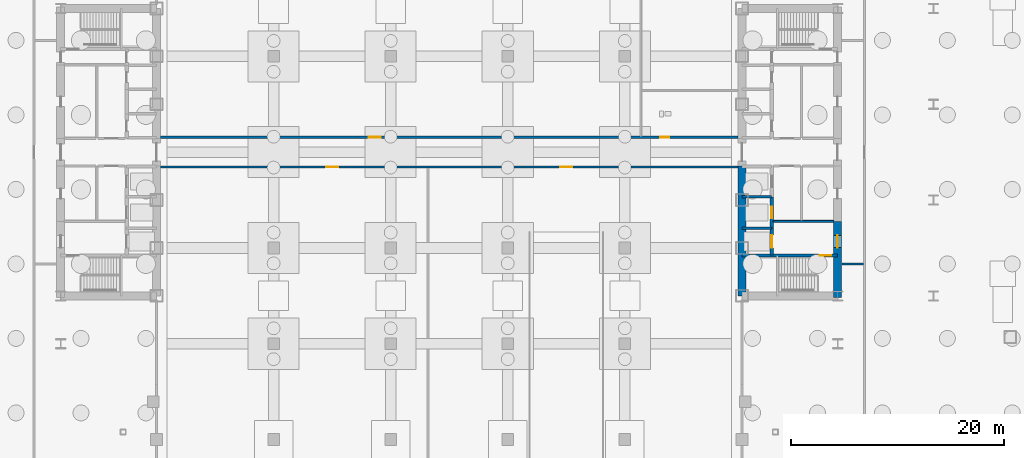
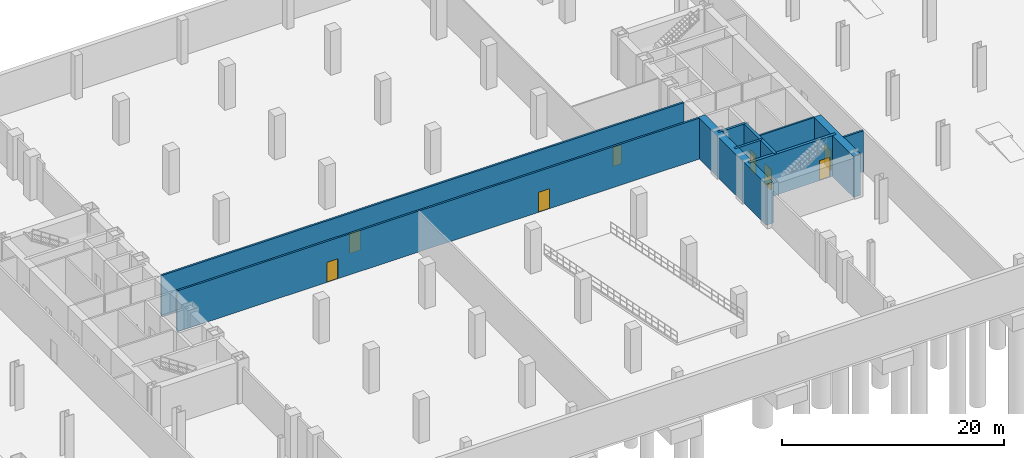
# One storey, part 13 of 18: 11 walls, 8 doors, 8 openings.
"""IFC4 building model written with IfcOpenShell, lengths in metres."""

from ifc_helpers import new_model, si_unit, direction, frame, frame_2d, origin, place, context, subcontext, project, spatial, rectangle, extrude, source, transform, mapped, material, layer, layer_set, type_object, type_shapes, element, fill, save


model = new_model("IFC4")

# Units and contexts
model_context = context("Model", 3, precision=1e-05, world=origin(), true_north=direction((0.0, 1.0)))
body_context = subcontext(model_context, "Body", "Model", "MODEL_VIEW")
ifc_project = project(units=[si_unit("LENGTHUNIT", "METRE"), si_unit("AREAUNIT", "SQUARE_METRE"), si_unit("VOLUMEUNIT", "CUBIC_METRE"), si_unit("PLANEANGLEUNIT", "RADIAN"), si_unit("MASSUNIT", "GRAM", prefix="KILO")], contexts=[model_context])

# Site, building, storey
site_placement = place(None, origin())
site = spatial("IfcSite", under=ifc_project, at=site_placement, CompositionType="ELEMENT")
building_placement = place(site_placement, origin())
building = spatial("IfcBuilding", under=site, at=building_placement, Name="Seokmaru Belvedere", CompositionType="ELEMENT")
storey_placement = place(building_placement, frame((0.0, 0.0, -9.60009765625)))
storey = spatial("IfcBuildingStorey", under=building, at=storey_placement, Name="B2", CompositionType="ELEMENT", Elevation=-9.60009765625)

# Walls
ifc_material_1 = material(Name="Fire-Rated Gypsum Shaftwall")
ifc_layer_1 = layer(ifc_material_1, 0.179931640625)
ifc_layer_set_1 = layer_set([ifc_layer_1], Name="Fire-Rated Gypsum Shaftwall")
wall_type_1 = type_object("IfcWallType", Name="Core Service Fire Partition 180", PredefinedType="PARTITIONING", material=ifc_layer_set_1)
wall_1_placement = place(storey_placement, frame((30.449951171875, -6.5, 0.0), z_axis=(0.0, 0.0, 1.0), x_axis=(1.0, 0.0, 0.0)))
element("IfcWall", 1, at=wall_1_placement, inside=storey, type_object=wall_type_1, Name="B2 East Firefighting Lobby Partition", PredefinedType="PARTITIONING", context=body_context, shape_type="SweptSolid", body=[
    extrude(rectangle(XDim=5.699951171875, YDim=0.179931640625, at=frame_2d((2.85009765625, 0.0))), origin(), (0.0, 0.0, 1.0), 4.5),
])
ifc_material_2 = material(Name="Concrete C50 (50 MPa)", Category="concrete")
ifc_layer_2 = layer(ifc_material_2, 0.25)
ifc_layer_set_2 = layer_set([ifc_layer_2], Name="Concrete C50 (50 MPa)")
wall_type_2 = type_object("IfcWallType", Name="Hoistway Transverse Concrete Divider Wall 250", PredefinedType="SHEAR", material=ifc_layer_set_2)
for number, where, z_axis, x_axis, name in (
    (2, (27.5, -7.14990234375, 0.0), (0.0, 0.0, 1.0), (1.0, 0.0, 0.0), "B2 East Hoistway Divider Core Wall 1"),
    (3, (27.5, -4.199951171875, 0.0), (0.0, 0.0, 1.0), (1.0, 0.0, 0.0), "B2 East Hoistway Divider Core Wall 2"),
):
    element("IfcWall", number, at=place(storey_placement, frame(where, z_axis=z_axis, x_axis=x_axis)), inside=storey, type_object=wall_type_2, Name=name, PredefinedType="SHEAR", context=body_context, shape_type="SweptSolid", body=[
        extrude(rectangle(XDim=2.800048828125, YDim=0.25, at=frame_2d((1.39990234375, 0.0))), origin(), (0.0, 0.0, 1.0), 4.5),
    ])
ifc_layer_3 = layer(ifc_material_1, 0.199951171875)
ifc_layer_set_3 = layer_set([ifc_layer_3], Name="Fire-Rated Gypsum Shaftwall")
wall_type_3 = type_object("IfcWallType", Name="Inter-Tenancy Fire Compartment Partition 200", PredefinedType="PARTITIONING", material=ifc_layer_set_3)
wall_2_placement = place(storey_placement, frame((36.8798828125, -10.5, 0.0), z_axis=(0.0, 0.0, 1.0), x_axis=(1.0, 0.0, 0.0)))
element("IfcWall", 4, at=wall_2_placement, inside=storey, type_object=wall_type_3, Name="B2 Interior Partition 002", PredefinedType="PARTITIONING", context=body_context, shape_type="SweptSolid", body=[
    extrude(rectangle(XDim=2.03515625, YDim=0.199951171875, at=frame_2d((1.017578125, 0.0))), origin(), (0.0, 0.0, 1.0), 4.5),
])

# Wall, openings, doors
wall_3_placement = place(storey_placement, frame((-27.1201171875, -1.39990234375, 0.0), z_axis=(0.0, 0.0, 1.0), x_axis=(1.0, 0.0, 0.0)))
wall_3 = element("IfcWall", 5, at=wall_3_placement, inside=storey, type_object=wall_type_3, Name="B2 Interior Partition 003", PredefinedType="PARTITIONING", context=body_context, shape_type="SweptSolid", body=[
    extrude(rectangle(XDim=54.240234375, YDim=0.199951171875, at=frame_2d((27.1201171875, 0.0))), origin(), (0.0, 0.0, 1.0), 4.5),
])
opening_1_placement = place(wall_3_placement, frame((15.544921875, 0.0, 0.0)))
opening_1 = element("IfcOpeningElement", 6, at=opening_1_placement, cuts=wall_3, Name="Opening D02", PredefinedType="OPENING", context=body_context, shape_type="SweptSolid", body=[
    extrude(rectangle(XDim=1.14990234375, YDim=2.199951171875, at=frame_2d((0.574951171875, 1.10009765625))), frame((0.0, 0.10986328125, 0.0), z_axis=(0.0, -1.0, 0.0), x_axis=(1.0, 0.0, 0.0)), (0.0, 0.0, 1.0), 0.219970703125),
])
opening_2_placement = place(wall_3_placement, frame((37.544921875, 0.0, 0.0)))
opening_2 = element("IfcOpeningElement", 7, at=opening_2_placement, cuts=wall_3, Name="Opening D02", PredefinedType="OPENING", context=body_context, shape_type="SweptSolid", body=[
    extrude(rectangle(XDim=1.14990234375, YDim=2.199951171875, at=frame_2d((0.574951171875, 1.10009765625))), frame((0.0, 0.10986328125, 0.0), z_axis=(0.0, -1.0, 0.0), x_axis=(1.0, 0.0, 0.0)), (0.0, 0.0, 1.0), 0.219970703125),
])
ifc_material_3 = material(Name="Fire-Rated Steel Leaf", Category="steel")
door_type_1 = type_object("IfcDoorType", Name="Lobby and Vestibule Fire Door 1150x2200", OperationType="NOTDEFINED", PredefinedType="DOOR", material=ifc_material_3)
shared_shape_1 = source(origin(), body_context, "Body", "SweptSolid", [
    extrude(rectangle(XDim=1.14990234375, YDim=2.199951171875, at=frame_2d((0.574951171875, 1.10009765625))), frame((0.0, 0.02490234375, 0.0), z_axis=(0.0, -1.0, 0.0), x_axis=(1.0, 0.0, 0.0)), (0.0, 0.0, 1.0), 0.050048828125),
])
type_shapes(door_type_1, [shared_shape_1])
door_1_placement = place(opening_1_placement, origin())
door_1 = element("IfcDoor", 8, at=door_1_placement, inside=storey, type_object=door_type_1, Name="B2 Interior Door 003", OperationType="SINGLE_SWING_LEFT", OverallHeight=2.199951171875, OverallWidth=1.14990234375, PredefinedType="DOOR", context=body_context, shape_type="MappedRepresentation", body=[
    mapped(shared_shape_1, transform((0.0, 0.0, 0.0), scale=1.0)),
])
fill(opening_1, door_1)
door_2_placement = place(opening_2_placement, origin())
door_2 = element("IfcDoor", 9, at=door_2_placement, inside=storey, type_object=door_type_1, Name="B2 Interior Door 004", OperationType="SINGLE_SWING_RIGHT", OverallHeight=2.199951171875, OverallWidth=1.14990234375, PredefinedType="DOOR", context=body_context, shape_type="MappedRepresentation", body=[
    mapped(shared_shape_1, transform((0.0, 0.0, 0.0), scale=1.0)),
])
fill(opening_2, door_2)

wall_4_placement = place(storey_placement, frame((-27.1201171875, 1.39990234375, 0.0), z_axis=(0.0, 0.0, 1.0), x_axis=(1.0, 0.0, 0.0)))
wall_4 = element("IfcWall", 10, at=wall_4_placement, inside=storey, type_object=wall_type_3, Name="B2 Interior Partition 004", PredefinedType="PARTITIONING", context=body_context, shape_type="SweptSolid", body=[
    extrude(rectangle(XDim=54.240234375, YDim=0.199951171875, at=frame_2d((27.1201171875, 0.0))), origin(), (0.0, 0.0, 1.0), 4.5),
])
opening_3_placement = place(wall_4_placement, frame((19.544921875, 0.0, 0.0)))
opening_3 = element("IfcOpeningElement", 11, at=opening_3_placement, cuts=wall_4, Name="Opening D02", PredefinedType="OPENING", context=body_context, shape_type="SweptSolid", body=[
    extrude(rectangle(XDim=1.14990234375, YDim=2.199951171875, at=frame_2d((0.574951171875, 1.10009765625))), frame((0.0, 0.10986328125, 0.0), z_axis=(0.0, -1.0, 0.0), x_axis=(1.0, 0.0, 0.0)), (0.0, 0.0, 1.0), 0.219970703125),
])
opening_4_placement = place(wall_4_placement, frame((46.929931640625, 0.0, 0.0)))
opening_4 = element("IfcOpeningElement", 12, at=opening_4_placement, cuts=wall_4, Name="Opening D06", PredefinedType="OPENING", context=body_context, shape_type="SweptSolid", body=[
    extrude(rectangle(XDim=0.8798828125, YDim=2.10009765625, at=frame_2d((0.43994140625, 1.050048828125))), frame((0.0, 0.10986328125, 0.0), z_axis=(0.0, -1.0, 0.0), x_axis=(1.0, 0.0, 0.0)), (0.0, 0.0, 1.0), 0.219970703125),
])
door_3_placement = place(opening_3_placement, origin())
door_3 = element("IfcDoor", 13, at=door_3_placement, inside=storey, type_object=door_type_1, Name="B2 Interior Door 005", OperationType="SINGLE_SWING_LEFT", OverallHeight=2.199951171875, OverallWidth=1.14990234375, PredefinedType="DOOR", context=body_context, shape_type="MappedRepresentation", body=[
    mapped(shared_shape_1, transform((0.0, 0.0, 0.0), scale=1.0)),
])
fill(opening_3, door_3)
ifc_material_4 = material(Name="Engineered White Oak Timber", Category="wood")
door_type_2 = type_object("IfcDoorType", Name="Bathroom and Restroom Fire-Rated Door 880x2100", OperationType="NOTDEFINED", PredefinedType="DOOR", material=ifc_material_4)
shared_shape_2 = source(origin(), body_context, "Body", "SweptSolid", [
    extrude(rectangle(XDim=0.8798828125, YDim=2.10009765625, at=frame_2d((0.43994140625, 1.050048828125))), frame((0.0, 0.02490234375, 0.0), z_axis=(0.0, -1.0, 0.0), x_axis=(1.0, 0.0, 0.0)), (0.0, 0.0, 1.0), 0.050048828125),
])
type_shapes(door_type_2, [shared_shape_2])
door_4_placement = place(opening_4_placement, origin())
door_4 = element("IfcDoor", 14, at=door_4_placement, inside=storey, type_object=door_type_2, Name="B2 Interior Door 006", OperationType="SINGLE_SWING_RIGHT", OverallHeight=2.10009765625, OverallWidth=0.8798828125, PredefinedType="DOOR", context=body_context, shape_type="MappedRepresentation", body=[
    mapped(shared_shape_2, transform((0.0, 0.0, 0.0), scale=1.0)),
])
fill(opening_4, door_4)

# Wall, opening, door
ifc_layer_4 = layer(ifc_material_2, 0.300048828125)
ifc_layer_set_4 = layer_set([ifc_layer_4], Name="Concrete C50 (50 MPa)")
wall_type_4 = type_object("IfcWallType", Name="Internal Core Stair and Hoistway Wall 300", PredefinedType="SHEAR", material=ifc_layer_set_4)
wall_5_placement = place(storey_placement, frame((27.5, -9.699951171875, 0.0), z_axis=(0.0, 0.0, 1.0), x_axis=(1.0, 0.0, 0.0)))
wall_5 = element("IfcWall", 15, at=wall_5_placement, inside=storey, type_object=wall_type_4, Name="B2 East Stair ST-1 Enclosure Wall", PredefinedType="SHEAR", context=body_context, shape_type="SweptSolid", body=[
    extrude(rectangle(XDim=9.0, YDim=0.300048828125, at=frame_2d((4.5, 0.0))), origin(), (0.0, 0.0, 1.0), 4.5),
])
opening_5_placement = place(wall_5_placement, frame((7.300048828125, 0.0, 0.0)))
opening_5 = element("IfcOpeningElement", 16, at=opening_5_placement, cuts=wall_5, Name="Opening D01", PredefinedType="OPENING", context=body_context, shape_type="SweptSolid", body=[
    extrude(rectangle(XDim=1.10009765625, YDim=2.199951171875, at=frame_2d((0.550048828125, 1.10009765625))), frame((0.0, 0.16015625, 0.0), z_axis=(0.0, -1.0, 0.0), x_axis=(1.0, 0.0, 0.0)), (0.0, 0.0, 1.0), 0.320068359375),
])
door_type_3 = type_object("IfcDoorType", Name="Special Escape Stair Smokeproof Fire Door 1100x2200", OperationType="NOTDEFINED", PredefinedType="DOOR", material=ifc_material_3)
shared_shape_3 = source(origin(), body_context, "Body", "SweptSolid", [
    extrude(rectangle(XDim=1.10009765625, YDim=2.199951171875, at=frame_2d((0.550048828125, 1.10009765625))), frame((0.0, 0.02490234375, 0.0), z_axis=(0.0, -1.0, 0.0), x_axis=(1.0, 0.0, 0.0)), (0.0, 0.0, 1.0), 0.050048828125),
])
type_shapes(door_type_3, [shared_shape_3])
door_5_placement = place(opening_5_placement, frame((1.10009765625, 0.0, 0.0), z_axis=(0.0, 0.0, 1.0), x_axis=(-1.0, 0.0, 0.0)))
door_5 = element("IfcDoor", 17, at=door_5_placement, inside=storey, type_object=door_type_3, Name="B2 East Special Escape Stair ST-1 Door", OperationType="SINGLE_SWING_RIGHT", OverallHeight=2.199951171875, OverallWidth=1.10009765625, PredefinedType="DOOR", context=body_context, shape_type="MappedRepresentation", body=[
    mapped(shared_shape_3, transform((0.0, 0.0, 0.0), scale=1.0)),
])
fill(opening_5, door_5)

wall_6_placement = place(storey_placement, frame((30.300048828125, -9.679931640625, 0.0), z_axis=(0.0, 0.0, 1.0), x_axis=(0.0, 1.0, 0.0)))
wall_6 = element("IfcWall", 18, at=wall_6_placement, inside=storey, type_object=wall_type_4, Name="B2 East Firefighting Lift Shaft Front Wall", PredefinedType="SHEAR", context=body_context, shape_type="SweptSolid", body=[
    extrude(rectangle(XDim=2.559814453125, YDim=0.300048828125, at=frame_2d((1.27978515625, 0.0))), origin(), (0.0, 0.0, 1.0), 4.5),
])
opening_6_placement = place(wall_6_placement, frame((0.679931640625, 0.0, 0.0)))
opening_6 = element("IfcOpeningElement", 19, at=opening_6_placement, cuts=wall_6, Name="Opening LD2", PredefinedType="OPENING", context=body_context, shape_type="SweptSolid", body=[
    extrude(rectangle(XDim=1.199951171875, YDim=2.25, at=frame_2d((0.60009765625, 1.125))), frame((0.0, 0.16015625, 0.0), z_axis=(0.0, -1.0, 0.0), x_axis=(1.0, 0.0, 0.0)), (0.0, 0.0, 1.0), 0.320068359375),
])
ifc_material_5 = material(Name="Stainless Steel 316", Category="steel")
door_type_4 = type_object("IfcDoorType", Name="Firefighting Lift Sliding Landing Door 1200x2250", OperationType="DOUBLE_DOOR_SLIDING", PredefinedType="DOOR", material=ifc_material_5)
shared_shape_4 = source(origin(), body_context, "Body", "SweptSolid", [
    extrude(rectangle(XDim=1.199951171875, YDim=2.25, at=frame_2d((0.60009765625, 1.125))), frame((0.0, 0.02490234375, 0.0), z_axis=(0.0, -1.0, 0.0), x_axis=(1.0, 0.0, 0.0)), (0.0, 0.0, 1.0), 0.050048828125),
])
type_shapes(door_type_4, [shared_shape_4])
door_6_placement = place(opening_6_placement, origin())
door_6 = element("IfcDoor", 20, at=door_6_placement, inside=storey, type_object=door_type_4, Name="B2 East Firefighting Lift Landing Door", OperationType="DOUBLE_DOOR_SLIDING", OverallHeight=2.25, OverallWidth=1.199951171875, PredefinedType="DOOR", context=body_context, shape_type="MappedRepresentation", body=[
    mapped(shared_shape_4, transform((0.0, 0.0, 0.0), scale=1.0)),
])
fill(opening_6, door_6)

wall_7_placement = place(storey_placement, frame((30.300048828125, -7.1201171875, 0.0), z_axis=(0.0, 0.0, 1.0), x_axis=(0.0, 1.0, 0.0)))
wall_7 = element("IfcWall", 21, at=wall_7_placement, inside=storey, type_object=wall_type_4, Name="B2 East Low-Rise Lift PL-1 Front Wall", PredefinedType="SHEAR", context=body_context, shape_type="SweptSolid", body=[
    extrude(rectangle(XDim=2.920166015625, YDim=0.300048828125, at=frame_2d((1.4599609375, 0.0))), origin(), (0.0, 0.0, 1.0), 4.5),
])
opening_7_placement = place(wall_7_placement, frame((0.909912109375, 0.0, 0.0)))
opening_7 = element("IfcOpeningElement", 22, at=opening_7_placement, cuts=wall_7, Name="Opening LD1", PredefinedType="OPENING", context=body_context, shape_type="SweptSolid", body=[
    extrude(rectangle(XDim=1.10009765625, YDim=2.199951171875, at=frame_2d((0.550048828125, 1.10009765625))), frame((0.0, 0.16015625, 0.0), z_axis=(0.0, -1.0, 0.0), x_axis=(1.0, 0.0, 0.0)), (0.0, 0.0, 1.0), 0.320068359375),
])
door_type_5 = type_object("IfcDoorType", Name="Passenger Lift Sliding Landing Door 1100x2200", OperationType="DOUBLE_DOOR_SLIDING", PredefinedType="DOOR", material=ifc_material_5)
shared_shape_5 = source(origin(), body_context, "Body", "SweptSolid", [
    extrude(rectangle(XDim=1.10009765625, YDim=2.199951171875, at=frame_2d((0.550048828125, 1.10009765625))), frame((0.0, 0.02490234375, 0.0), z_axis=(0.0, -1.0, 0.0), x_axis=(1.0, 0.0, 0.0)), (0.0, 0.0, 1.0), 0.050048828125),
])
type_shapes(door_type_5, [shared_shape_5])
door_7_placement = place(opening_7_placement, origin())
door_7 = element("IfcDoor", 23, at=door_7_placement, inside=storey, type_object=door_type_5, Name="B2 East Low-Rise Lift PL-1 Landing Door", OperationType="DOUBLE_DOOR_SLIDING", OverallHeight=2.199951171875, OverallWidth=1.10009765625, PredefinedType="DOOR", context=body_context, shape_type="MappedRepresentation", body=[
    mapped(shared_shape_5, transform((0.0, 0.0, 0.0), scale=1.0)),
])
fill(opening_7, door_7)

# Wall
ifc_material_6 = material(Name="Concrete C60 (60 MPa)", Category="concrete")
ifc_layer_5 = layer(ifc_material_6, 0.75)
ifc_layer_set_5 = layer_set([ifc_layer_5], Name="Concrete C60 (60 MPa)")
wall_type_5 = type_object("IfcWallType", Name="Lower Tower Reinforced Concrete Core Wall 750", PredefinedType="SHEAR", material=ifc_layer_set_5)
wall_8_placement = place(storey_placement, frame((27.5, -13.5, 0.0), z_axis=(0.0, 0.0, 1.0), x_axis=(0.0, 1.0, 0.0)))
element("IfcWall", 24, at=wall_8_placement, inside=storey, type_object=wall_type_5, Name="B2 East Portal Spine Core Wall South", PredefinedType="SHEAR", context=body_context, shape_type="SweptSolid", body=[
    extrude(rectangle(XDim=12.199951171875, YDim=0.75, at=frame_2d((6.10009765625, 0.0))), origin(), (0.0, 0.0, 1.0), 4.5),
])

# Wall, opening, door
wall_9_placement = place(storey_placement, frame((36.5, -13.64990234375, 0.0), z_axis=(0.0, 0.0, 1.0), x_axis=(0.0, 1.0, 0.0)))
wall_9 = element("IfcWall", 25, at=wall_9_placement, inside=storey, type_object=wall_type_5, Name="B2 East West Core Wall FF", PredefinedType="SHEAR", context=body_context, shape_type="SweptSolid", body=[
    extrude(rectangle(XDim=7.14990234375, YDim=0.75, at=frame_2d((3.574951171875, 0.0))), origin(), (0.0, 0.0, 1.0), 4.5),
])
opening_8_placement = place(wall_9_placement, frame((4.675048828125, 0.0, 0.0)))
opening_8 = element("IfcOpeningElement", 26, at=opening_8_placement, cuts=wall_9, Name="Opening D02", PredefinedType="OPENING", context=body_context, shape_type="SweptSolid", body=[
    extrude(rectangle(XDim=1.14990234375, YDim=2.199951171875, at=frame_2d((0.574951171875, 1.10009765625))), frame((0.0, 0.385009765625, 0.0), z_axis=(0.0, -1.0, 0.0), x_axis=(1.0, 0.0, 0.0)), (0.0, 0.0, 1.0), 0.77001953125),
])
door_8_placement = place(opening_8_placement, origin())
door_8 = element("IfcDoor", 27, at=door_8_placement, inside=storey, type_object=door_type_1, Name="B2 East Firefighting Lobby Door", OperationType="SINGLE_SWING_RIGHT", OverallHeight=2.199951171875, OverallWidth=1.14990234375, PredefinedType="DOOR", context=body_context, shape_type="MappedRepresentation", body=[
    mapped(shared_shape_1, transform((0.0, 0.0, 0.0), scale=1.0)),
])
fill(opening_8, door_8)

save(model, "model.ifc")
